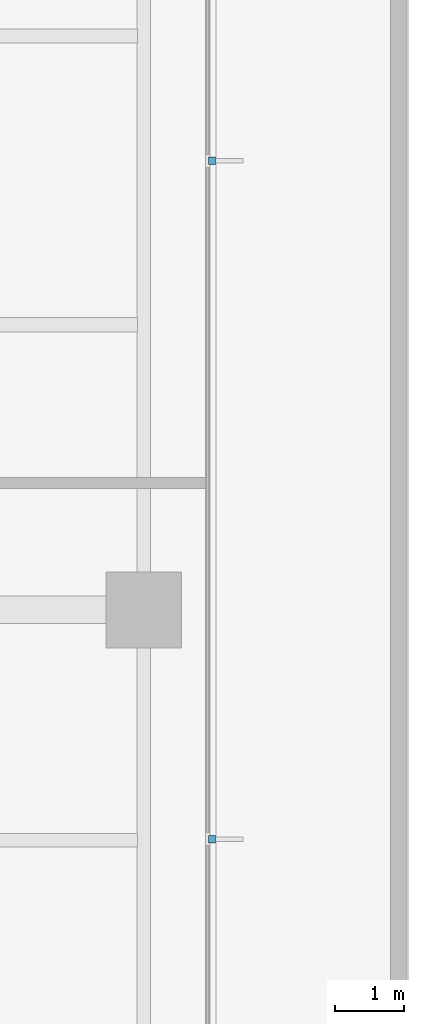
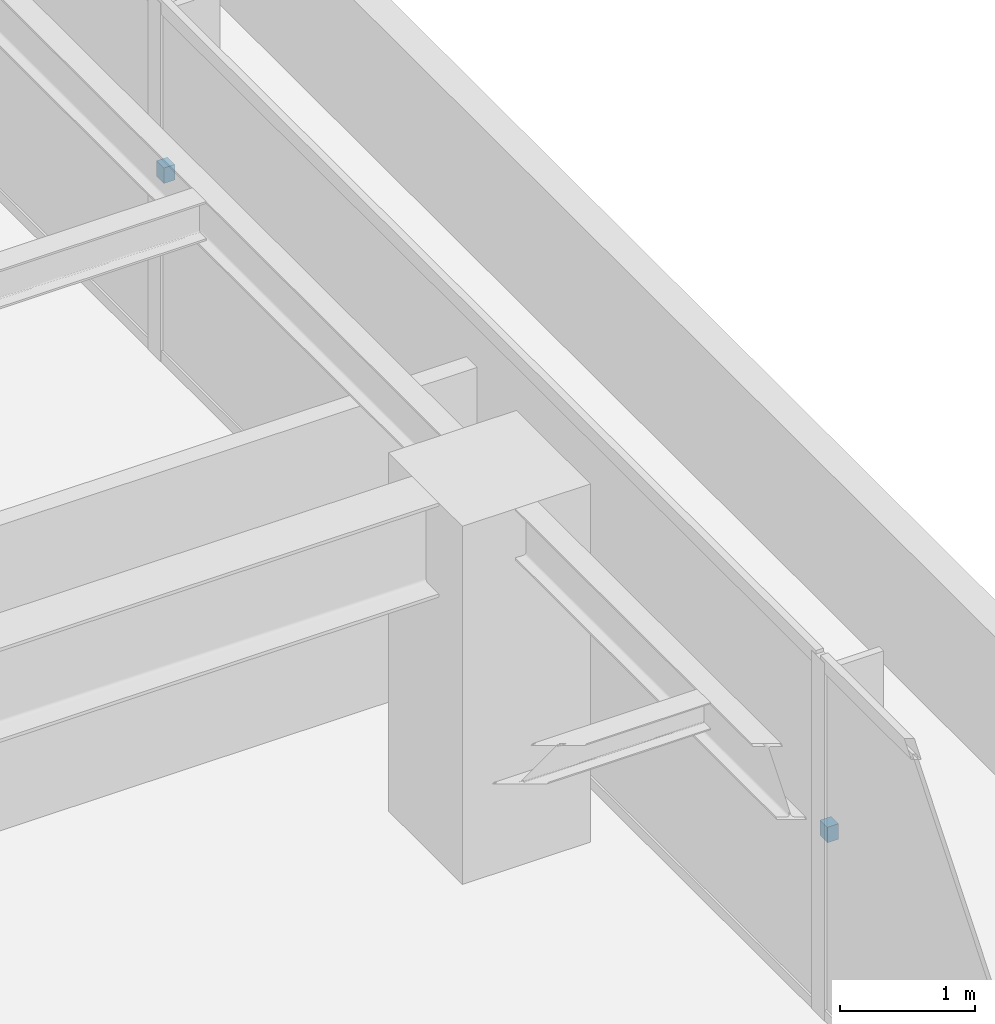
# One storey, part 13 of 16: 2 discrete accessories.
"""IFC4 building model written with IfcOpenShell, lengths in metres."""

from ifc_helpers import new_model, si_unit, direction, frame, origin, place, context, subcontext, project, spatial, polyline, outline, extrude, material, type_object, element, save


model = new_model("IFC4")

# Units and contexts
model_context = context("Model", 3, precision=1e-05, world=origin(), true_north=direction((0.0, 1.0)))
body_context = subcontext(model_context, "Body", "Model", "MODEL_VIEW")
ifc_project = project(units=[si_unit("LENGTHUNIT", "METRE"), si_unit("AREAUNIT", "SQUARE_METRE"), si_unit("VOLUMEUNIT", "CUBIC_METRE"), si_unit("PLANEANGLEUNIT", "RADIAN"), si_unit("MASSUNIT", "GRAM", prefix="KILO")], contexts=[model_context])

# Site, building, storey
site_placement = place(None, origin())
site = spatial("IfcSite", under=ifc_project, at=site_placement, CompositionType="ELEMENT")
building_placement = place(site_placement, origin())
building = spatial("IfcBuilding", under=site, at=building_placement, Name="Qalmaran Belvedere Hotel", CompositionType="ELEMENT")
storey_placement = place(building_placement, frame((0.0, 0.0, 138.60009765625)))
storey = spatial("IfcBuildingStorey", under=building, at=storey_placement, Name="L34", CompositionType="ELEMENT", Elevation=138.60009765625)

# Discrete accessories
ifc_material = material(Name="Stainless Steel 1.4401", Category="steel")
discrete_accessory_type = type_object("IfcDiscreteAccessoryType", Name="BRK-FIN-SS316", PredefinedType="BRACKET", material=ifc_material)
discrete_accessory_1_placement = place(storey_placement, frame((0.0, 0.0, 1.574951171875)))
element("IfcDiscreteAccessory", 1, at=discrete_accessory_1_placement, inside=storey, type_object=discrete_accessory_type, Name="L34 Fin Bracket 1", PredefinedType="BRACKET", context=body_context, shape_type="SweptSolid", body=[
    extrude(outline(polyline([(56.094970703125, 17.11181640625), (56.18994140625, 17.11181640625), (56.18994140625, 17.2216796875), (56.094970703125, 17.2216796875), (56.094970703125, 17.11181640625)])), origin(), (0.0, 0.0, 1.0), 0.139892578125),
])
discrete_accessory_2_placement = place(storey_placement, frame((0.0, 0.0, 1.574951171875)))
element("IfcDiscreteAccessory", 2, at=discrete_accessory_2_placement, inside=storey, type_object=discrete_accessory_type, Name="L34 Fin Bracket 2", PredefinedType="BRACKET", context=body_context, shape_type="SweptSolid", body=[
    extrude(outline(polyline([(56.094970703125, 26.978271484375), (56.18994140625, 26.978271484375), (56.18994140625, 27.08837890625), (56.094970703125, 27.08837890625), (56.094970703125, 26.978271484375)])), origin(), (0.0, 0.0, 1.0), 0.139892578125),
])

save(model, "model.ifc")
